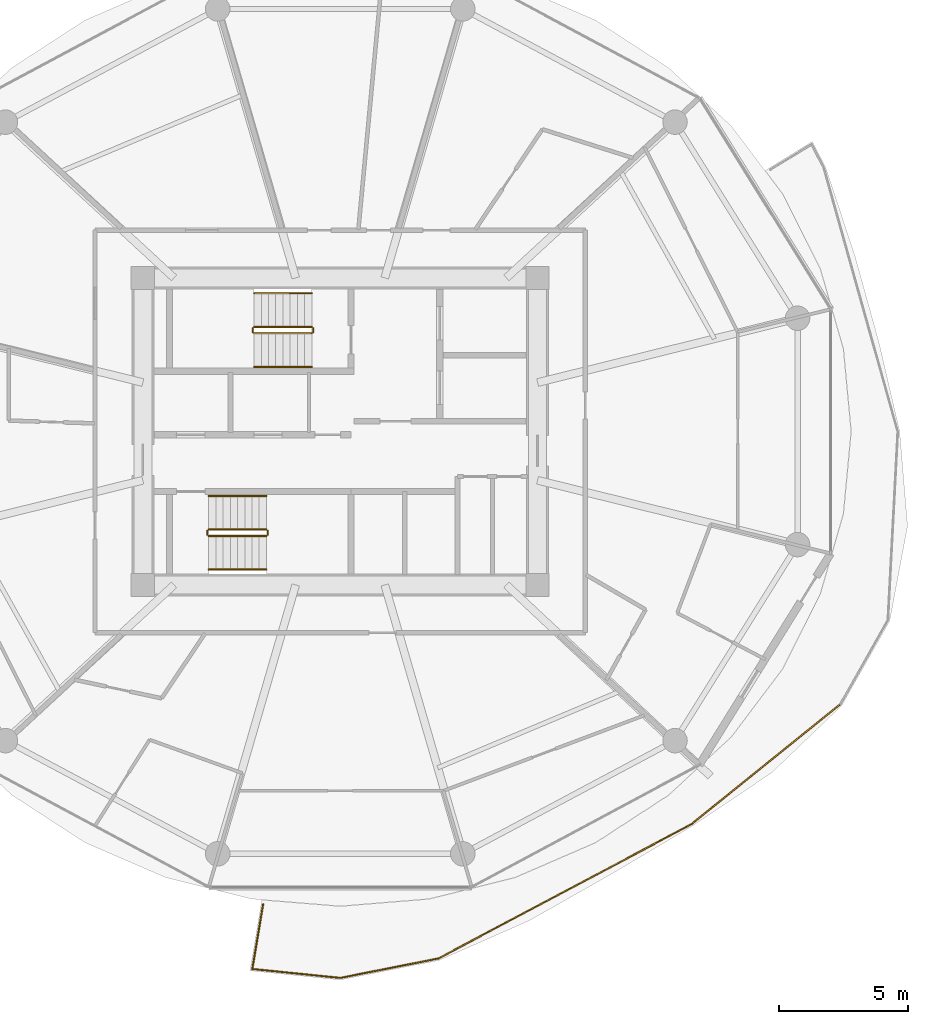
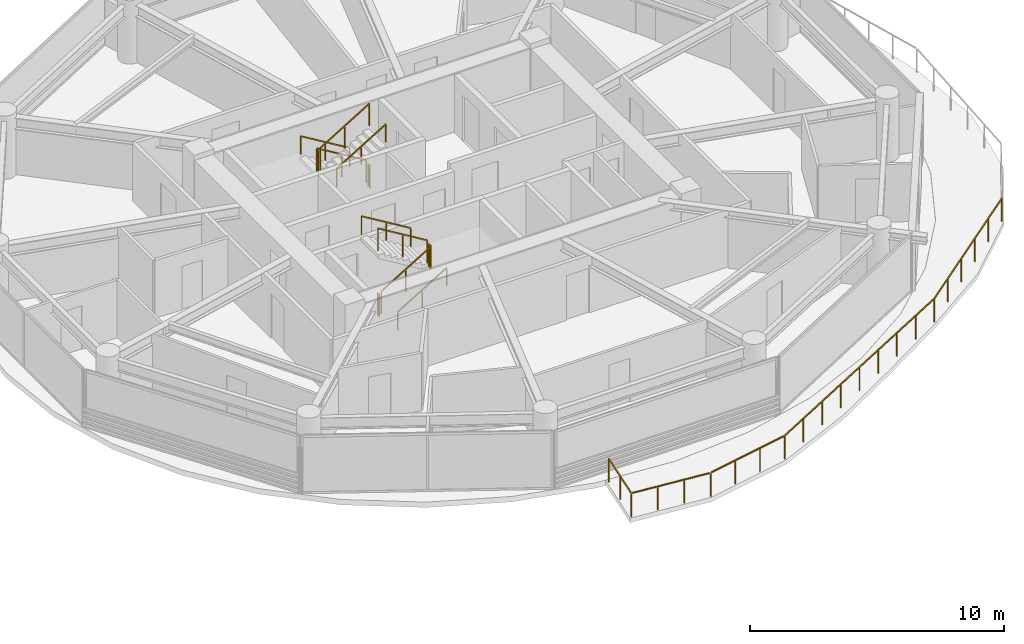
# One storey, part 26 of 27: 13 railings.
"""IFC4 building model written with IfcOpenShell, lengths in metres."""

from ifc_helpers import new_model, si_unit, direction, frame, origin, origin_2d, place, context, subcontext, project, spatial, rectangle, extrude, material, type_object, element, save


model = new_model("IFC4")

# Units and contexts
model_context = context("Model", 3, precision=1e-05, world=origin(), true_north=direction((0.0, 1.0)))
body_context = subcontext(model_context, "Body", "Model", "MODEL_VIEW")
ifc_project = project(units=[si_unit("LENGTHUNIT", "METRE"), si_unit("AREAUNIT", "SQUARE_METRE"), si_unit("VOLUMEUNIT", "CUBIC_METRE"), si_unit("PLANEANGLEUNIT", "RADIAN"), si_unit("MASSUNIT", "GRAM", prefix="KILO")], contexts=[model_context])

# Site, building, storey
site_placement = place(None, origin())
site = spatial("IfcSite", under=ifc_project, at=site_placement, CompositionType="ELEMENT")
building_placement = place(site_placement, origin())
building = spatial("IfcBuilding", under=site, at=building_placement, Name="Norrkilde Senior Care Towers", CompositionType="ELEMENT")
storey_placement = place(building_placement, frame((0.0, 0.0, 30.75)))
storey = spatial("IfcBuildingStorey", under=building, at=storey_placement, Name="L08", CompositionType="ELEMENT", Elevation=30.75)

# Railings
ifc_material_1 = material(Name="Anodised Aluminium", Category="aluminium")
railing_type_1 = type_object("IfcRailingType", Name="Balcony Swirl Ribbon Guardrail 1150", PredefinedType="GUARDRAIL", material=ifc_material_1)
railing_1_placement = place(storey_placement, frame((47.377685546875, -10.57568359375, 0.0)))
element("IfcRailing", 1, at=railing_1_placement, inside=storey, type_object=railing_type_1, Name="L08 Perimeter Safety Guard 01", PredefinedType="GUARDRAIL", context=body_context, shape_type="SweptSolid", body=[
    extrude(rectangle(XDim=0.048095703125, YDim=0.048095703125, at=origin_2d()), frame((0.0, 0.0, 1.1259765625), z_axis=(-0.778462430325, -0.627691201605, 0.0), x_axis=(0.627691201605, -0.778462430325, 0.0)), (0.0, 0.0, 1.0), 7.36083984375),
    extrude(rectangle(XDim=0.048095703125, YDim=0.048095703125, at=origin_2d()), frame((-5.798095703125, -4.6650390625, 1.1259765625), z_axis=(-0.883359793462, -0.468695503812, 0.0), x_axis=(0.468695503812, -0.883359793462, 0.0)), (0.0, 0.0, 1.0), 11.024658203125),
    extrude(rectangle(XDim=0.048095703125, YDim=0.048095703125, at=origin_2d()), frame((-15.613037109375, -9.859619140625, 1.1259765625), z_axis=(-0.980965735542, -0.194180909702, 0.0), x_axis=(0.194180909702, -0.980965735542, 0.0)), (0.0, 0.0, 1.0), 3.80078125),
    extrude(rectangle(XDim=0.048095703125, YDim=0.048095703125, at=origin_2d()), frame((-19.42236328125, -10.601318359375, 1.1259765625), z_axis=(-0.994854708433, 0.101311939614, 0.0), x_axis=(-0.101311939614, -0.994854708433, 0.0)), (0.0, 0.0, 1.0), 3.340087890625),
    extrude(rectangle(XDim=0.048095703125, YDim=0.048095703125, at=origin_2d()), frame((-22.779052734375, -10.218505859375, 1.1259765625), z_axis=(0.165180782505, 0.986263306167, 0.0), x_axis=(-0.986263306167, 0.165180782505, 0.0)), (0.0, 0.0, 1.0), 2.490966796875),
    extrude(rectangle(XDim=0.0419921875, YDim=0.0419921875, at=origin_2d()), origin(), (0.0, 0.0, 1.0), 1.099853515625),
    extrude(rectangle(XDim=0.0419921875, YDim=0.0419921875, at=origin_2d()), frame((-1.15234375, -0.92919921875, 0.0)), (0.0, 0.0, 1.0), 1.099853515625),
    extrude(rectangle(XDim=0.0419921875, YDim=0.0419921875, at=origin_2d()), frame((-2.3046875, -1.8583984375, 0.0)), (0.0, 0.0, 1.0), 1.099853515625),
    extrude(rectangle(XDim=0.0419921875, YDim=0.0419921875, at=origin_2d()), frame((-3.457275390625, -2.78759765625, 0.0)), (0.0, 0.0, 1.0), 1.099853515625),
    extrude(rectangle(XDim=0.0419921875, YDim=0.0419921875, at=origin_2d()), frame((-4.609619140625, -3.716796875, 0.0)), (0.0, 0.0, 1.0), 1.099853515625),
    extrude(rectangle(XDim=0.0419921875, YDim=0.0419921875, at=origin_2d()), frame((-5.761962890625, -4.64599609375, 0.0)), (0.0, 0.0, 1.0), 1.099853515625),
    extrude(rectangle(XDim=0.0419921875, YDim=0.0419921875, at=origin_2d()), frame((-6.98828125, -5.296630859375, 0.0)), (0.0, 0.0, 1.0), 1.099853515625),
    extrude(rectangle(XDim=0.0419921875, YDim=0.0419921875, at=origin_2d()), frame((-8.21484375, -5.947265625, 0.0)), (0.0, 0.0, 1.0), 1.099853515625),
    extrude(rectangle(XDim=0.0419921875, YDim=0.0419921875, at=origin_2d()), frame((-9.441162109375, -6.59814453125, 0.0)), (0.0, 0.0, 1.0), 1.099853515625),
    extrude(rectangle(XDim=0.0419921875, YDim=0.0419921875, at=origin_2d()), frame((-10.66748046875, -7.248779296875, 0.0)), (0.0, 0.0, 1.0), 1.099853515625),
    extrude(rectangle(XDim=0.0419921875, YDim=0.0419921875, at=origin_2d()), frame((-11.893798828125, -7.8994140625, 0.0)), (0.0, 0.0, 1.0), 1.099853515625),
    extrude(rectangle(XDim=0.0419921875, YDim=0.0419921875, at=origin_2d()), frame((-13.1201171875, -8.55029296875, 0.0)), (0.0, 0.0, 1.0), 1.099853515625),
    extrude(rectangle(XDim=0.0419921875, YDim=0.0419921875, at=origin_2d()), frame((-14.3466796875, -9.200927734375, 0.0)), (0.0, 0.0, 1.0), 1.099853515625),
    extrude(rectangle(XDim=0.0419921875, YDim=0.0419921875, at=origin_2d()), frame((-15.572998046875, -9.8515625, 0.0)), (0.0, 0.0, 1.0), 1.099853515625),
    extrude(rectangle(XDim=0.0419921875, YDim=0.0419921875, at=origin_2d()), frame((-16.842529296875, -10.102783203125, 0.0)), (0.0, 0.0, 1.0), 1.099853515625),
    extrude(rectangle(XDim=0.0419921875, YDim=0.0419921875, at=origin_2d()), frame((-18.112060546875, -10.354248046875, 0.0)), (0.0, 0.0, 1.0), 1.099853515625),
    extrude(rectangle(XDim=0.0419921875, YDim=0.0419921875, at=origin_2d()), frame((-19.381591796875, -10.60546875, 0.0)), (0.0, 0.0, 1.0), 1.099853515625),
    extrude(rectangle(XDim=0.0419921875, YDim=0.0419921875, at=origin_2d()), frame((-20.516357421875, -10.489990234375, 0.0)), (0.0, 0.0, 1.0), 1.099853515625),
    extrude(rectangle(XDim=0.0419921875, YDim=0.0419921875, at=origin_2d()), frame((-21.651123046875, -10.374267578125, 0.0)), (0.0, 0.0, 1.0), 1.099853515625),
    extrude(rectangle(XDim=0.0419921875, YDim=0.0419921875, at=origin_2d()), frame((-22.785888671875, -10.2587890625, 0.0)), (0.0, 0.0, 1.0), 1.099853515625),
    extrude(rectangle(XDim=0.0419921875, YDim=0.0419921875, at=origin_2d()), frame((-22.57666015625, -9.01025390625, 0.0)), (0.0, 0.0, 1.0), 1.099853515625),
    extrude(rectangle(XDim=0.0419921875, YDim=0.0419921875, at=origin_2d()), frame((-22.36767578125, -7.76171875, 0.0)), (0.0, 0.0, 1.0), 1.099853515625),
])
ifc_material_2 = material(Name="Stainless Steel", Category="steel")
railing_type_2 = type_object("IfcRailingType", Name="Stair and Terrace Guardrail 1100", PredefinedType="GUARDRAIL", material=ifc_material_2)
railing_2_placement = place(storey_placement, frame((26.89990234375, 4.050048828125, 0.16943359375)))
element("IfcRailing", 2, at=railing_2_placement, inside=storey, type_object=railing_type_2, Name="L08 ST-E1 stair guard 1", PredefinedType="GUARDRAIL", context=body_context, shape_type="SweptSolid", body=[
    extrude(rectangle(XDim=0.048095703125, YDim=0.048095703125, at=origin_2d()), frame((0.0, 0.0, 1.076171875), z_axis=(-0.855553338991, 0.0, 0.51771467445), x_axis=(0.0, -1.0, 0.0)), (0.0, 0.0, 1.0), 2.6181640625),
    extrude(rectangle(XDim=0.0419921875, YDim=0.0419921875, at=origin_2d()), origin(), (0.0, 0.0, 1.0), 1.050048828125),
    extrude(rectangle(XDim=0.0419921875, YDim=0.0419921875, at=origin_2d()), frame((-1.1201171875, 0.0, 0.677734375)), (0.0, 0.0, 1.0), 1.050048828125),
    extrude(rectangle(XDim=0.0419921875, YDim=0.0419921875, at=origin_2d()), frame((-2.239990234375, 0.0, 1.35546875)), (0.0, 0.0, 1.0), 1.050048828125),
])
railing_3_placement = place(storey_placement, frame((24.610107421875, 4.0, 1.52490234375)))
element("IfcRailing", 3, at=railing_3_placement, inside=storey, type_object=railing_type_2, Name="L08 ST-E1 stair guard 2", PredefinedType="GUARDRAIL", context=body_context, shape_type="SweptSolid", body=[
    extrude(rectangle(XDim=0.048095703125, YDim=0.048095703125, at=origin_2d()), frame((0.0, 0.0, 1.076171875), z_axis=(0.0, -1.0, 0.0), x_axis=(1.0, 0.0, 0.0)), (0.0, 0.0, 1.0), 0.14990234375),
    extrude(rectangle(XDim=0.0419921875, YDim=0.0419921875, at=origin_2d()), origin(), (0.0, 0.0, 1.0), 1.050048828125),
    extrude(rectangle(XDim=0.0419921875, YDim=0.0419921875, at=origin_2d()), frame((0.0, -0.14990234375, 0.0)), (0.0, 0.0, 1.0), 1.050048828125),
])
railing_4_placement = place(storey_placement, frame((24.659912109375, 3.800048828125, 1.6943359375)))
element("IfcRailing", 4, at=railing_4_placement, inside=storey, type_object=railing_type_2, Name="L08 ST-E1 stair guard 3", PredefinedType="GUARDRAIL", context=body_context, shape_type="SweptSolid", body=[
    extrude(rectangle(XDim=0.048095703125, YDim=0.048095703125, at=origin_2d()), frame((0.0, 0.0, 1.076171875), z_axis=(0.855512035549, 0.0, 0.517782924622), x_axis=(0.0, 1.0, 0.0)), (0.0, 0.0, 1.0), 2.618408203125),
    extrude(rectangle(XDim=0.0419921875, YDim=0.0419921875, at=origin_2d()), origin(), (0.0, 0.0, 1.0), 1.050048828125),
    extrude(rectangle(XDim=0.0419921875, YDim=0.0419921875, at=origin_2d()), frame((1.1201171875, 0.0, 0.677734375)), (0.0, 0.0, 1.0), 1.050048828125),
    extrude(rectangle(XDim=0.0419921875, YDim=0.0419921875, at=origin_2d()), frame((2.239990234375, 0.0, 1.355712890625)), (0.0, 0.0, 1.0), 1.050048828125),
])
railing_5_placement = place(storey_placement, frame((26.949951171875, 4.0, 0.0)))
element("IfcRailing", 5, at=railing_5_placement, inside=storey, type_object=railing_type_2, Name="L08 ST-E1 stair guard 4", PredefinedType="GUARDRAIL", context=body_context, shape_type="SweptSolid", body=[
    extrude(rectangle(XDim=0.048095703125, YDim=0.048095703125, at=origin_2d()), frame((0.0, 0.0, 1.076171875), z_axis=(0.0, -1.0, 0.0), x_axis=(1.0, 0.0, 0.0)), (0.0, 0.0, 1.0), 0.14990234375),
    extrude(rectangle(XDim=0.0419921875, YDim=0.0419921875, at=origin_2d()), origin(), (0.0, 0.0, 1.0), 1.050048828125),
    extrude(rectangle(XDim=0.0419921875, YDim=0.0419921875, at=origin_2d()), frame((0.0, -0.14990234375, 0.0)), (0.0, 0.0, 1.0), 1.050048828125),
])
railing_6_placement = place(storey_placement, frame((22.89990234375, -4.050048828125, 0.16943359375)))
element("IfcRailing", 6, at=railing_6_placement, inside=storey, type_object=railing_type_2, Name="L08 ST-E2 stair guard 1", PredefinedType="GUARDRAIL", context=body_context, shape_type="SweptSolid", body=[
    extrude(rectangle(XDim=0.048095703125, YDim=0.048095703125, at=origin_2d()), frame((0.0, 0.0, 1.076171875), z_axis=(0.855553338991, 0.0, 0.51771467445), x_axis=(0.0, 1.0, 0.0)), (0.0, 0.0, 1.0), 2.6181640625),
    extrude(rectangle(XDim=0.0419921875, YDim=0.0419921875, at=origin_2d()), origin(), (0.0, 0.0, 1.0), 1.050048828125),
    extrude(rectangle(XDim=0.0419921875, YDim=0.0419921875, at=origin_2d()), frame((1.1201171875, 0.0, 0.677734375)), (0.0, 0.0, 1.0), 1.050048828125),
    extrude(rectangle(XDim=0.0419921875, YDim=0.0419921875, at=origin_2d()), frame((2.239990234375, 0.0, 1.35546875)), (0.0, 0.0, 1.0), 1.050048828125),
])
railing_7_placement = place(storey_placement, frame((25.18994140625, -4.0, 1.52490234375)))
element("IfcRailing", 7, at=railing_7_placement, inside=storey, type_object=railing_type_2, Name="L08 ST-E2 stair guard 2", PredefinedType="GUARDRAIL", context=body_context, shape_type="SweptSolid", body=[
    extrude(rectangle(XDim=0.048095703125, YDim=0.048095703125, at=origin_2d()), frame((0.0, 0.0, 1.076171875), z_axis=(0.0, 1.0, 0.0), x_axis=(-1.0, 0.0, 0.0)), (0.0, 0.0, 1.0), 0.14990234375),
    extrude(rectangle(XDim=0.0419921875, YDim=0.0419921875, at=origin_2d()), origin(), (0.0, 0.0, 1.0), 1.050048828125),
    extrude(rectangle(XDim=0.0419921875, YDim=0.0419921875, at=origin_2d()), frame((0.0, 0.14990234375, 0.0)), (0.0, 0.0, 1.0), 1.050048828125),
])
railing_8_placement = place(storey_placement, frame((25.139892578125, -3.800048828125, 1.6943359375)))
element("IfcRailing", 8, at=railing_8_placement, inside=storey, type_object=railing_type_2, Name="L08 ST-E2 stair guard 3", PredefinedType="GUARDRAIL", context=body_context, shape_type="SweptSolid", body=[
    extrude(rectangle(XDim=0.048095703125, YDim=0.048095703125, at=origin_2d()), frame((0.0, 0.0, 1.076171875), z_axis=(-0.855512035549, 0.0, 0.517782924622), x_axis=(0.0, -1.0, 0.0)), (0.0, 0.0, 1.0), 2.618408203125),
    extrude(rectangle(XDim=0.0419921875, YDim=0.0419921875, at=origin_2d()), origin(), (0.0, 0.0, 1.0), 1.050048828125),
    extrude(rectangle(XDim=0.0419921875, YDim=0.0419921875, at=origin_2d()), frame((-1.1201171875, 0.0, 0.677734375)), (0.0, 0.0, 1.0), 1.050048828125),
    extrude(rectangle(XDim=0.0419921875, YDim=0.0419921875, at=origin_2d()), frame((-2.239990234375, 0.0, 1.355712890625)), (0.0, 0.0, 1.0), 1.050048828125),
])
railing_9_placement = place(storey_placement, frame((22.85009765625, -4.0, 0.0)))
element("IfcRailing", 9, at=railing_9_placement, inside=storey, type_object=railing_type_2, Name="L08 ST-E2 stair guard 4", PredefinedType="GUARDRAIL", context=body_context, shape_type="SweptSolid", body=[
    extrude(rectangle(XDim=0.048095703125, YDim=0.048095703125, at=origin_2d()), frame((0.0, 0.0, 1.076171875), z_axis=(0.0, 1.0, 0.0), x_axis=(-1.0, 0.0, 0.0)), (0.0, 0.0, 1.0), 0.14990234375),
    extrude(rectangle(XDim=0.0419921875, YDim=0.0419921875, at=origin_2d()), origin(), (0.0, 0.0, 1.0), 1.050048828125),
    extrude(rectangle(XDim=0.0419921875, YDim=0.0419921875, at=origin_2d()), frame((0.0, 0.14990234375, 0.0)), (0.0, 0.0, 1.0), 1.050048828125),
])
ifc_material_3 = material(Name="Nordic Ash Timber", Category="wood")
railing_type_3 = type_object("IfcRailingType", Name="Wall and Stair Handrail 900", PredefinedType="HANDRAIL", material=ifc_material_3)
railing_10_placement = place(storey_placement, frame((26.89990234375, 5.35009765625, 0.16943359375)))
element("IfcRailing", 10, at=railing_10_placement, inside=storey, type_object=railing_type_3, Name="L08 ST-E1 stair handrail 1", PredefinedType="HANDRAIL", context=body_context, shape_type="SweptSolid", body=[
    extrude(rectangle(XDim=0.048095703125, YDim=0.048095703125, at=origin_2d()), frame((0.0, 0.0, 0.8759765625), z_axis=(-0.855553338991, 0.0, 0.51771467445), x_axis=(0.0, -1.0, 0.0)), (0.0, 0.0, 1.0), 2.6181640625),
    extrude(rectangle(XDim=0.0419921875, YDim=0.0419921875, at=origin_2d()), origin(), (0.0, 0.0, 1.0), 0.849853515625),
    extrude(rectangle(XDim=0.0419921875, YDim=0.0419921875, at=origin_2d()), frame((-1.1201171875, 0.0, 0.677734375)), (0.0, 0.0, 1.0), 0.849853515625),
    extrude(rectangle(XDim=0.0419921875, YDim=0.0419921875, at=origin_2d()), frame((-2.239990234375, 0.0, 1.35546875)), (0.0, 0.0, 1.0), 0.849853515625),
])
railing_11_placement = place(storey_placement, frame((24.659912109375, 2.5, 1.6943359375)))
element("IfcRailing", 11, at=railing_11_placement, inside=storey, type_object=railing_type_3, Name="L08 ST-E1 stair handrail 2", PredefinedType="HANDRAIL", context=body_context, shape_type="SweptSolid", body=[
    extrude(rectangle(XDim=0.048095703125, YDim=0.048095703125, at=origin_2d()), frame((0.0, 0.0, 0.8759765625), z_axis=(0.855512035549, 0.0, 0.517782924622), x_axis=(0.0, 1.0, 0.0)), (0.0, 0.0, 1.0), 2.618408203125),
    extrude(rectangle(XDim=0.0419921875, YDim=0.0419921875, at=origin_2d()), origin(), (0.0, 0.0, 1.0), 0.849853515625),
    extrude(rectangle(XDim=0.0419921875, YDim=0.0419921875, at=origin_2d()), frame((1.1201171875, 0.0, 0.677734375)), (0.0, 0.0, 1.0), 0.849853515625),
    extrude(rectangle(XDim=0.0419921875, YDim=0.0419921875, at=origin_2d()), frame((2.239990234375, 0.0, 1.355712890625)), (0.0, 0.0, 1.0), 0.849853515625),
])
railing_12_placement = place(storey_placement, frame((22.89990234375, -5.35009765625, 0.16943359375)))
element("IfcRailing", 12, at=railing_12_placement, inside=storey, type_object=railing_type_3, Name="L08 ST-E2 stair handrail 1", PredefinedType="HANDRAIL", context=body_context, shape_type="SweptSolid", body=[
    extrude(rectangle(XDim=0.048095703125, YDim=0.048095703125, at=origin_2d()), frame((0.0, 0.0, 0.8759765625), z_axis=(0.855553338991, 0.0, 0.51771467445), x_axis=(0.0, 1.0, 0.0)), (0.0, 0.0, 1.0), 2.6181640625),
    extrude(rectangle(XDim=0.0419921875, YDim=0.0419921875, at=origin_2d()), origin(), (0.0, 0.0, 1.0), 0.849853515625),
    extrude(rectangle(XDim=0.0419921875, YDim=0.0419921875, at=origin_2d()), frame((1.1201171875, 0.0, 0.677734375)), (0.0, 0.0, 1.0), 0.849853515625),
    extrude(rectangle(XDim=0.0419921875, YDim=0.0419921875, at=origin_2d()), frame((2.239990234375, 0.0, 1.35546875)), (0.0, 0.0, 1.0), 0.849853515625),
])
railing_13_placement = place(storey_placement, frame((25.139892578125, -2.5, 1.6943359375)))
element("IfcRailing", 13, at=railing_13_placement, inside=storey, type_object=railing_type_3, Name="L08 ST-E2 stair handrail 2", PredefinedType="HANDRAIL", context=body_context, shape_type="SweptSolid", body=[
    extrude(rectangle(XDim=0.048095703125, YDim=0.048095703125, at=origin_2d()), frame((0.0, 0.0, 0.8759765625), z_axis=(-0.855512035549, 0.0, 0.517782924622), x_axis=(0.0, -1.0, 0.0)), (0.0, 0.0, 1.0), 2.618408203125),
    extrude(rectangle(XDim=0.0419921875, YDim=0.0419921875, at=origin_2d()), origin(), (0.0, 0.0, 1.0), 0.849853515625),
    extrude(rectangle(XDim=0.0419921875, YDim=0.0419921875, at=origin_2d()), frame((-1.1201171875, 0.0, 0.677734375)), (0.0, 0.0, 1.0), 0.849853515625),
    extrude(rectangle(XDim=0.0419921875, YDim=0.0419921875, at=origin_2d()), frame((-2.239990234375, 0.0, 1.355712890625)), (0.0, 0.0, 1.0), 0.849853515625),
])

save(model, "model.ifc")
